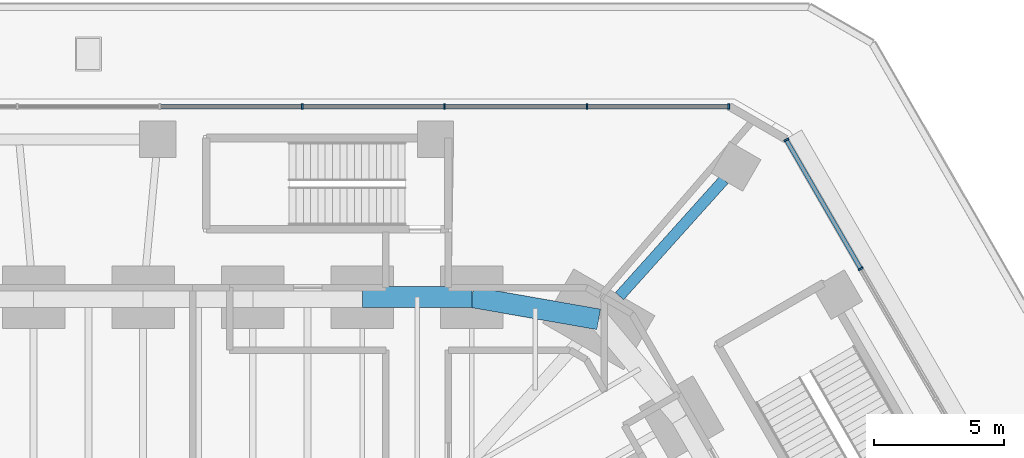
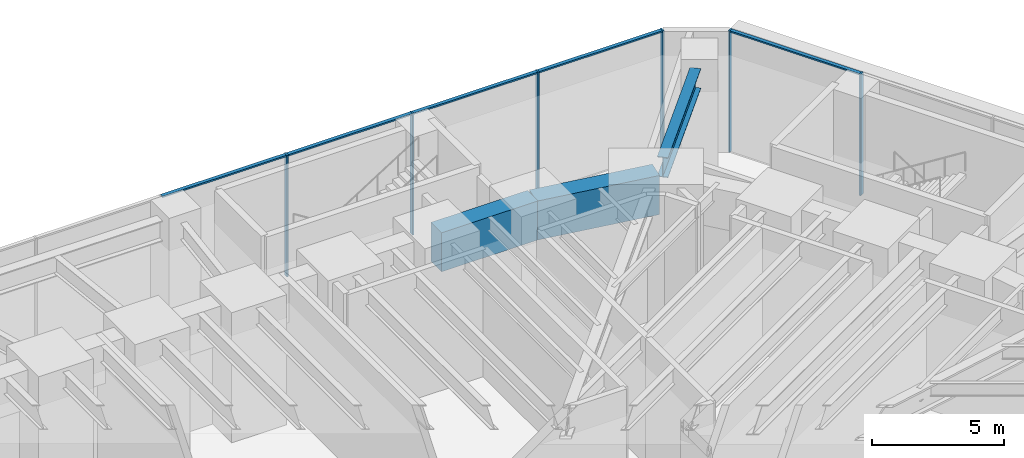
# One storey, part 11 of 24: 11 members, 3 beams, 2 elements without a shape of their own.
"""IFC4 building model written with IfcOpenShell, lengths in metres."""

from ifc_helpers import new_model, si_unit, direction, frame, origin, origin_2d, place, context, subcontext, project, spatial, rectangle, i_section, extrude, material, material_profile, profile_set, type_object, element, aggregate, save


model = new_model("IFC4")

# Units and contexts
model_context = context("Model", 3, precision=1e-05, world=origin(), true_north=direction((0.0, 1.0)))
body_context = subcontext(model_context, "Body", "Model", "MODEL_VIEW")
ifc_project = project(units=[si_unit("LENGTHUNIT", "METRE"), si_unit("AREAUNIT", "SQUARE_METRE"), si_unit("VOLUMEUNIT", "CUBIC_METRE"), si_unit("PLANEANGLEUNIT", "RADIAN"), si_unit("MASSUNIT", "GRAM", prefix="KILO")], contexts=[model_context])

# Site, building, storey
site_placement = place(None, origin())
site = spatial("IfcSite", under=ifc_project, at=site_placement, CompositionType="ELEMENT")
building_placement = place(site_placement, origin())
building = spatial("IfcBuilding", under=site, at=building_placement, Name="Sandreach Pilgrim Tower", CompositionType="ELEMENT")
storey_placement = place(building_placement, frame((0.0, 0.0, 12.0)))
storey = spatial("IfcBuildingStorey", under=building, at=storey_placement, Name="L02", CompositionType="ELEMENT", Elevation=12.0)

# Curtain wall, members
ifc_material_1 = material(Name="Aluminium framed curtain wall", Category="aluminium")
curtain_wall_type = type_object("IfcCurtainWallType", Name="Podium storefront curtain wall", PredefinedType="NOTDEFINED", material=ifc_material_1)
curtain_wall_1_placement = place(storey_placement, origin())
curtain_wall_1 = element("IfcCurtainWall", 1, at=curtain_wall_1_placement, inside=storey, type_object=curtain_wall_type, Name="CW-P L02 N", PredefinedType="NOTDEFINED")
ifc_material_2 = material(Name="Aluminium extrusion", Category="aluminium")
ifc_material_profile_1 = material_profile(ifc_material_2, rectangle(XDim=0.070068359375, YDim=0.199951171875, at=origin_2d()), Name="CW-PM 70X200")
ifc_profile_set_1 = profile_set([ifc_material_profile_1], Name="Aluminium extrusion")
member_type_1 = type_object("IfcMemberType", Name="CW-P mullion", PredefinedType="MULLION", material=ifc_profile_set_1)
member_1_placement = place(storey_placement, frame((8.211181640625, 30.010986328125, 0.0), z_axis=(0.0, 0.0, 1.0), x_axis=(1.0, 0.0, 0.0)))
member_1 = element("IfcMember", 2, at=member_1_placement, type_object=member_type_1, Name="CW-P mullion 7", PredefinedType="MULLION", context=body_context, shape_type="SweptSolid", body=[
    extrude(rectangle(XDim=0.070068359375, YDim=0.199951171875, at=origin_2d()), origin(), (0.0, 0.0, 1.0), 5.60009765625),
])
member_2_placement = place(storey_placement, frame((13.685302734375, 30.010986328125, 0.0), z_axis=(0.0, 0.0, 1.0), x_axis=(1.0, 0.0, 0.0)))
member_2 = element("IfcMember", 3, at=member_2_placement, type_object=member_type_1, Name="CW-P mullion 8", PredefinedType="MULLION", context=body_context, shape_type="SweptSolid", body=[
    extrude(rectangle(XDim=0.070068359375, YDim=0.199951171875, at=origin_2d()), origin(), (0.0, 0.0, 1.0), 5.60009765625),
])
member_3_placement = place(storey_placement, frame((19.159423828125, 30.010986328125, 0.0), z_axis=(0.0, 0.0, 1.0), x_axis=(1.0, 0.0, 0.0)))
member_3 = element("IfcMember", 4, at=member_3_placement, type_object=member_type_1, Name="CW-P mullion 9", PredefinedType="MULLION", context=body_context, shape_type="SweptSolid", body=[
    extrude(rectangle(XDim=0.070068359375, YDim=0.199951171875, at=origin_2d()), origin(), (0.0, 0.0, 1.0), 5.60009765625),
])
member_4_placement = place(storey_placement, frame((24.598388671875, 30.010986328125, 0.0), z_axis=(0.0, 0.0, 1.0), x_axis=(1.0, 0.0, 0.0)))
member_4 = element("IfcMember", 5, at=member_4_placement, type_object=member_type_1, Name="CW-P mullion 10", PredefinedType="MULLION", context=body_context, shape_type="SweptSolid", body=[
    extrude(rectangle(XDim=0.070068359375, YDim=0.199951171875, at=origin_2d()), origin(), (0.0, 0.0, 1.0), 5.60009765625),
])

curtain_wall_2_placement = place(storey_placement, origin())
curtain_wall_2 = element("IfcCurtainWall", 6, at=curtain_wall_2_placement, inside=storey, type_object=curtain_wall_type, Name="CW-P L02 NE", PredefinedType="NOTDEFINED")
member_5_placement = place(storey_placement, frame((26.81591796875, 28.73046875, 0.0), z_axis=(0.0, 0.0, 1.0), x_axis=(0.5, -0.866025403784, 0.0)))
member_5 = element("IfcMember", 7, at=member_5_placement, type_object=member_type_1, Name="CW-P mullion 1", PredefinedType="MULLION", context=body_context, shape_type="SweptSolid", body=[
    extrude(rectangle(XDim=0.070068359375, YDim=0.199951171875, at=origin_2d()), origin(), (0.0, 0.0, 1.0), 5.60009765625),
])
member_6_placement = place(storey_placement, frame((29.675537109375, 23.777587890625, 0.0), z_axis=(0.0, 0.0, 1.0), x_axis=(0.5, -0.866025403784, 0.0)))
member_6 = element("IfcMember", 8, at=member_6_placement, type_object=member_type_1, Name="CW-P mullion 2", PredefinedType="MULLION", context=body_context, shape_type="SweptSolid", body=[
    extrude(rectangle(XDim=0.070068359375, YDim=0.199951171875, at=origin_2d()), origin(), (0.0, 0.0, 1.0), 5.60009765625),
])

# Member
ifc_material_3 = material(Name="Aluminium extrusion", Category="aluminium")
ifc_material_profile_2 = material_profile(ifc_material_3, rectangle(XDim=0.159912109375, YDim=0.070068359375, at=origin_2d()), Name="CW-PT 160X70")
ifc_profile_set_2 = profile_set([ifc_material_profile_2], Name="Aluminium extrusion")
member_type_2 = type_object("IfcMemberType", Name="CW-P transom", PredefinedType="USERDEFINED", material=ifc_profile_set_2)
member_7_placement = place(storey_placement, frame((2.77197265625, 30.010986328125, 5.56494140625), z_axis=(1.0, 0.0, 0.0), x_axis=(0.0, 1.0, 0.0)))
member_7 = element("IfcMember", 9, at=member_7_placement, type_object=member_type_2, Name="CW-P head transom 6", ObjectType="TRANSOM", PredefinedType="USERDEFINED", context=body_context, shape_type="SweptSolid", body=[
    extrude(rectangle(XDim=0.159912109375, YDim=0.070068359375, at=origin_2d()), origin(), (0.0, 0.0, 1.0), 5.404052734375),
])

member_8_placement = place(storey_placement, frame((8.24609375, 30.010986328125, 5.56494140625), z_axis=(1.0, 0.0, 0.0), x_axis=(0.0, 1.0, 0.0)))
member_8 = element("IfcMember", 10, at=member_8_placement, type_object=member_type_2, Name="CW-P head transom 7", ObjectType="TRANSOM", PredefinedType="USERDEFINED", context=body_context, shape_type="SweptSolid", body=[
    extrude(rectangle(XDim=0.159912109375, YDim=0.070068359375, at=origin_2d()), origin(), (0.0, 0.0, 1.0), 5.404052734375),
])

member_9_placement = place(storey_placement, frame((13.72021484375, 30.010986328125, 5.56494140625), z_axis=(1.0, 0.0, 0.0), x_axis=(0.0, 1.0, 0.0)))
member_9 = element("IfcMember", 11, at=member_9_placement, type_object=member_type_2, Name="CW-P head transom 8", ObjectType="TRANSOM", PredefinedType="USERDEFINED", context=body_context, shape_type="SweptSolid", body=[
    extrude(rectangle(XDim=0.159912109375, YDim=0.070068359375, at=origin_2d()), origin(), (0.0, 0.0, 1.0), 5.404052734375),
])

member_10_placement = place(storey_placement, frame((19.1943359375, 30.010986328125, 5.56494140625), z_axis=(1.0, 0.0, 0.0), x_axis=(0.0, 1.0, 0.0)))
member_10 = element("IfcMember", 12, at=member_10_placement, type_object=member_type_2, Name="CW-P head transom 9", ObjectType="TRANSOM", PredefinedType="USERDEFINED", context=body_context, shape_type="SweptSolid", body=[
    extrude(rectangle(XDim=0.159912109375, YDim=0.070068359375, at=origin_2d()), origin(), (0.0, 0.0, 1.0), 5.369140625),
])

aggregate(curtain_wall_1, [member_1, member_2, member_3, member_4, member_7, member_8, member_9, member_10])

member_11_placement = place(storey_placement, frame((26.83349609375, 28.7001953125, 5.56494140625), z_axis=(0.500015491618, -0.86601645951, 0.0), x_axis=(0.86601645951, 0.500015491618, 0.0)))
member_11 = element("IfcMember", 13, at=member_11_placement, type_object=member_type_2, Name="CW-P head transom 1", ObjectType="TRANSOM", PredefinedType="USERDEFINED", context=body_context, shape_type="SweptSolid", body=[
    extrude(rectangle(XDim=0.159912109375, YDim=0.070068359375, at=origin_2d()), origin(), (0.0, 0.0, 1.0), 5.649169921875),
])

aggregate(curtain_wall_2, [member_5, member_6, member_11])

# Beams
ifc_material_4 = material(Name="Steel ASTM A992 Grade 50", Category="steel")
ifc_material_profile_3 = material_profile(ifc_material_4, i_section(OverallWidth=0.419189453125, OverallDepth=0.927001953125, WebThickness=0.019287109375, FlangeThickness=0.031982421875, at=origin_2d()), Name="W36X231")
ifc_profile_set_3 = profile_set([ifc_material_profile_3], Name="Steel ASTM A992 Grade 50")
beam_type_1 = type_object("IfcBeamType", Name="Podium beam W36X231", PredefinedType="BEAM", material=ifc_profile_set_3)
beam_1_placement = place(storey_placement, frame((20.407958984375, 22.727783203125, 5.136474609375), z_axis=(0.668130429615, 0.744044171419, 0.0), x_axis=(-0.744044171419, 0.668130429615, 0.0)))
element("IfcBeam", 14, at=beam_1_placement, inside=storey, type_object=beam_type_1, Name="BM L02 PR125-09", PredefinedType="BEAM", context=body_context, shape_type="SweptSolid", body=[
    extrude(i_section(OverallWidth=0.419189453125, OverallDepth=0.927001953125, WebThickness=0.019287109375, FlangeThickness=0.031982421875, at=origin_2d()), origin(), (0.0, 0.0, 1.0), 6.001220703125),
])
ifc_material_5 = material(Name="Concrete 10000 psi", Category="concrete")
ifc_material_profile_4 = material_profile(ifc_material_5, rectangle(XDim=0.800048828125, YDim=1.800048828125, at=origin_2d()), Name="RC800X1800")
ifc_profile_set_4 = profile_set([ifc_material_profile_4], Name="Concrete 10000 psi")
beam_type_2 = type_object("IfcBeamType", Name="Spandrel beam RC800X1800", PredefinedType="SPANDREL", material=ifc_profile_set_4)
beam_2_placement = place(storey_placement, frame((10.52490234375, 22.688720703125, 4.93994140625), z_axis=(1.0, 0.0, 0.0), x_axis=(0.0, 1.0, 0.0)))
element("IfcBeam", 15, at=beam_2_placement, inside=storey, type_object=beam_type_2, Name="BM L02 SP07", PredefinedType="SPANDREL", context=body_context, shape_type="SweptSolid", body=[
    extrude(rectangle(XDim=0.800048828125, YDim=1.800048828125, at=origin_2d()), origin(), (0.0, 0.0, 1.0), 4.209716796875),
])
beam_3_placement = place(storey_placement, frame((14.734619140625, 22.688720703125, 4.93994140625), z_axis=(0.984981186582, -0.172661698355, 0.0), x_axis=(0.172661698355, 0.984981186582, 0.0)))
element("IfcBeam", 16, at=beam_3_placement, inside=storey, type_object=beam_type_2, Name="BM L02 SP08", PredefinedType="SPANDREL", context=body_context, shape_type="SweptSolid", body=[
    extrude(rectangle(XDim=0.800048828125, YDim=1.800048828125, at=origin_2d()), origin(), (0.0, 0.0, 1.0), 4.946044921875),
])

save(model, "model.ifc")
